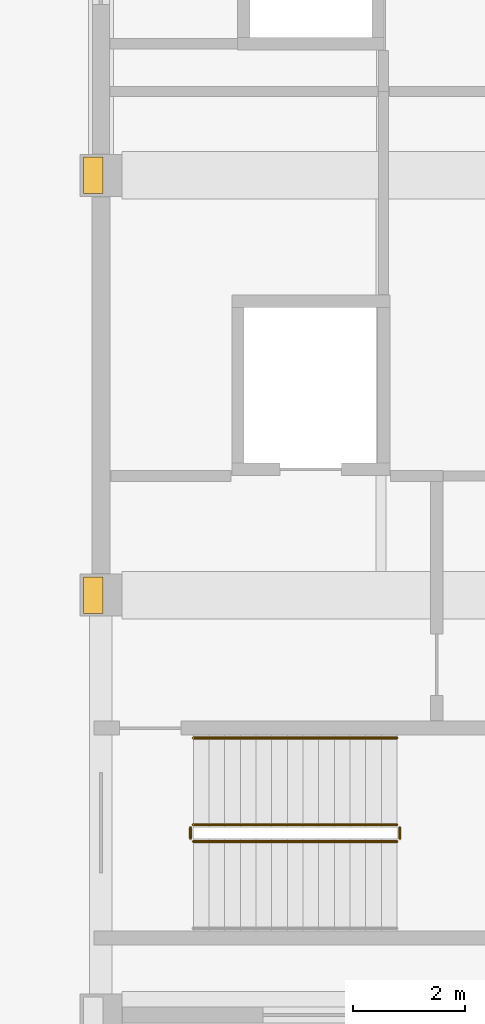
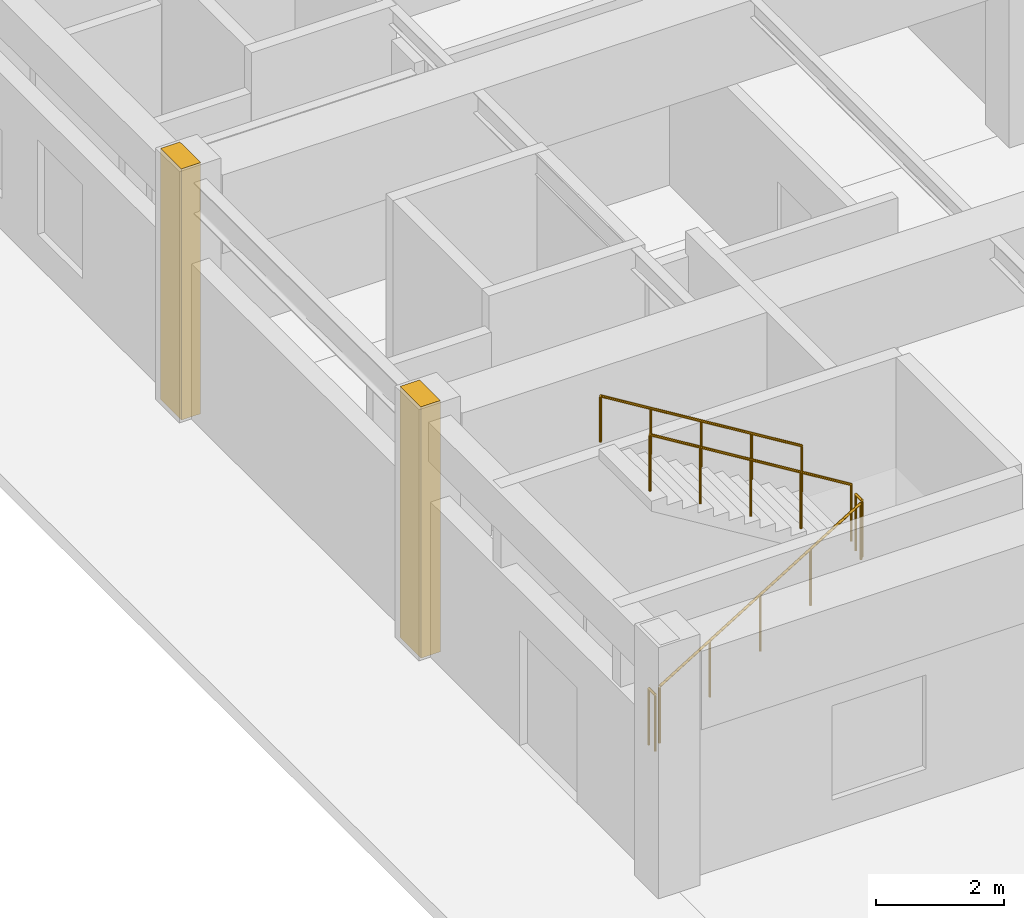
# One storey, part 113 of 122: 5 railings, 2 coverings.
"""IFC4 building model written with IfcOpenShell, lengths in metres."""

from ifc_helpers import new_model, si_unit, direction, frame, origin, origin_2d, place, context, subcontext, project, spatial, rectangle, circle, extrude, material, layer, layer_set, type_object, element, save


model = new_model("IFC4")

# Units and contexts
model_context = context("Model", 3, precision=1e-05, world=origin(), true_north=direction((0.0, 1.0)))
body_context = subcontext(model_context, "Body", "Model", "MODEL_VIEW")
ifc_project = project(units=[si_unit("LENGTHUNIT", "METRE"), si_unit("AREAUNIT", "SQUARE_METRE"), si_unit("VOLUMEUNIT", "CUBIC_METRE"), si_unit("PLANEANGLEUNIT", "RADIAN"), si_unit("MASSUNIT", "GRAM", prefix="KILO")], contexts=[model_context])

# Site, building, storey
site_placement = place(None, origin())
site = spatial("IfcSite", under=ifc_project, at=site_placement, CompositionType="ELEMENT")
building_placement = place(site_placement, origin())
building = spatial("IfcBuilding", under=site, at=building_placement, Name="Qasida Concert Hall", CompositionType="ELEMENT")
storey_placement = place(building_placement, origin())
storey = spatial("IfcBuildingStorey", under=building, at=storey_placement, Name="L00", CompositionType="ELEMENT", Elevation=0.0)

# Coverings
ifc_material_1 = material(Name="Projecting fluted Lebanese limestone Art Deco pilaster", Category="masonry")
ifc_layer_1 = layer(ifc_material_1, 0.35009765625, Name="Projecting fluted Lebanese limestone Art Deco pilaster")
ifc_layer_set_1 = layer_set([ifc_layer_1], Name="Projecting fluted Lebanese limestone Art Deco pilaster")
covering_type = type_object("IfcCoveringType", Name="CV-PIL-650", PredefinedType="CLADDING", material=ifc_layer_set_1)
for number, where, z_axis, x_axis, name in (
    (1, (-0.135009765625, 82.5, 0.0), (0.0, 0.0, 1.0), (1.0, 0.0, 0.0), "L00 fluted limestone pilaster 0272"),
    (2, (-0.135009765625, 90.0, 0.0), (0.0, 0.0, 1.0), (1.0, 0.0, 0.0), "L00 fluted limestone pilaster 0279"),
):
    element("IfcCovering", number, at=place(storey_placement, frame(where, z_axis=z_axis, x_axis=x_axis)), inside=storey, type_object=covering_type, Name=name, PredefinedType="CLADDING", context=body_context, shape_type="SweptSolid", body=[
        extrude(rectangle(XDim=0.35009765625, YDim=0.64990234375, at=origin_2d()), origin(), (0.0, 0.0, 1.0), 4.800048828125),
    ])

# Railings
ifc_material_2 = material(Name="Patinated architectural bronze and laminated glass infill", Category="glass")
ifc_layer_2 = layer(ifc_material_2, 0.080078125, Name="Patinated architectural bronze and laminated glass infill")
ifc_layer_set_2 = layer_set([ifc_layer_2], Name="Patinated architectural bronze and laminated glass infill")
railing_type_1 = type_object("IfcRailingType", Name="RL-GRD-1100", PredefinedType="GUARDRAIL", material=ifc_layer_set_2)
railing_1_placement = place(storey_placement, frame((1.64990234375, 78.10009765625, 0.17138671875)))
element("IfcRailing", 3, at=railing_1_placement, inside=storey, type_object=railing_type_1, Name="L00 ST-05 stair guard 1", PredefinedType="GUARDRAIL", context=body_context, shape_type="SweptSolid", body=[
    extrude(circle(Radius=0.02392578125, at=origin_2d()), frame((0.0, 0.0, 1.076171875), z_axis=(0.852865859571, 0.0, 0.52213008492), x_axis=(0.0, 1.0, 0.0)), (0.0, 0.0, 1.0), 4.26806640625),
    extrude(circle(Radius=0.02099609375, at=origin_2d()), origin(), (0.0, 0.0, 1.0), 1.052001953125),
    extrude(circle(Radius=0.02099609375, at=origin_2d()), frame((0.91015625, 0.0, 0.55712890625)), (0.0, 0.0, 1.0), 1.052001953125),
    extrude(circle(Radius=0.02099609375, at=origin_2d()), frame((1.820068359375, 0.0, 1.1142578125)), (0.0, 0.0, 1.0), 1.052001953125),
    extrude(circle(Radius=0.02099609375, at=origin_2d()), frame((2.72998046875, 0.0, 1.67138671875)), (0.0, 0.0, 1.0), 1.052001953125),
    extrude(circle(Radius=0.02099609375, at=origin_2d()), frame((3.64013671875, 0.0, 2.228515625)), (0.0, 0.0, 1.0), 1.052001953125),
])
railing_2_placement = place(storey_placement, frame((5.340087890625, 78.14990234375, 2.39990234375)))
element("IfcRailing", 4, at=railing_2_placement, inside=storey, type_object=railing_type_1, Name="L00 ST-05 stair guard 2", PredefinedType="GUARDRAIL", context=body_context, shape_type="SweptSolid", body=[
    extrude(circle(Radius=0.02392578125, at=origin_2d()), frame((0.0, 0.0, 1.076171875), z_axis=(0.0, 1.0, 0.0), x_axis=(-1.0, 0.0, 0.0)), (0.0, 0.0, 1.0), 0.2001953125),
    extrude(circle(Radius=0.02099609375, at=origin_2d()), origin(), (0.0, 0.0, 1.0), 1.052001953125),
    extrude(circle(Radius=0.02099609375, at=origin_2d()), frame((0.0, 0.2001953125, 0.0)), (0.0, 0.0, 1.0), 1.052001953125),
])
railing_3_placement = place(storey_placement, frame((5.2900390625, 78.39990234375, 2.571533203125)))
element("IfcRailing", 5, at=railing_3_placement, inside=storey, type_object=railing_type_1, Name="L00 ST-05 stair guard 3", PredefinedType="GUARDRAIL", context=body_context, shape_type="SweptSolid", body=[
    extrude(circle(Radius=0.02392578125, at=origin_2d()), frame((0.0, 0.0, 1.076171875), z_axis=(-0.852865859571, 0.0, 0.52213008492), x_axis=(0.0, -1.0, 0.0)), (0.0, 0.0, 1.0), 4.26806640625),
    extrude(circle(Radius=0.02099609375, at=origin_2d()), origin(), (0.0, 0.0, 1.0), 1.052001953125),
    extrude(circle(Radius=0.02099609375, at=origin_2d()), frame((-0.91015625, 0.0, 0.55712890625)), (0.0, 0.0, 1.0), 1.052001953125),
    extrude(circle(Radius=0.02099609375, at=origin_2d()), frame((-1.820068359375, 0.0, 1.1142578125)), (0.0, 0.0, 1.0), 1.052001953125),
    extrude(circle(Radius=0.02099609375, at=origin_2d()), frame((-2.72998046875, 0.0, 1.67138671875)), (0.0, 0.0, 1.0), 1.052001953125),
    extrude(circle(Radius=0.02099609375, at=origin_2d()), frame((-3.64013671875, 0.0, 2.228515625)), (0.0, 0.0, 1.0), 1.052001953125),
])
railing_4_placement = place(storey_placement, frame((1.60009765625, 78.14990234375, 0.0)))
element("IfcRailing", 6, at=railing_4_placement, inside=storey, type_object=railing_type_1, Name="L00 ST-05 stair guard 4", PredefinedType="GUARDRAIL", context=body_context, shape_type="SweptSolid", body=[
    extrude(circle(Radius=0.02392578125, at=origin_2d()), frame((0.0, 0.0, 1.076171875), z_axis=(0.0, 1.0, 0.0), x_axis=(-1.0, 0.0, 0.0)), (0.0, 0.0, 1.0), 0.2001953125),
    extrude(circle(Radius=0.02099609375, at=origin_2d()), origin(), (0.0, 0.0, 1.0), 1.052001953125),
    extrude(circle(Radius=0.02099609375, at=origin_2d()), frame((0.0, 0.2001953125, 0.0)), (0.0, 0.0, 1.0), 1.052001953125),
])
ifc_material_3 = material(Name="Patinated tubular architectural bronze", Category="steel")
ifc_layer_3 = layer(ifc_material_3, 0.050048828125, Name="Patinated tubular architectural bronze")
ifc_layer_set_3 = layer_set([ifc_layer_3], Name="Patinated tubular architectural bronze")
railing_type_2 = type_object("IfcRailingType", Name="RL-HND-900", PredefinedType="HANDRAIL", material=ifc_layer_set_3)
railing_5_placement = place(storey_placement, frame((5.2900390625, 79.949951171875, 2.571533203125)))
element("IfcRailing", 7, at=railing_5_placement, inside=storey, type_object=railing_type_2, Name="L00 ST-05 stair handrail 2", PredefinedType="HANDRAIL", context=body_context, shape_type="SweptSolid", body=[
    extrude(circle(Radius=0.02392578125, at=origin_2d()), frame((0.0, 0.0, 0.8759765625), z_axis=(-0.852865859571, 0.0, 0.52213008492), x_axis=(0.0, -1.0, 0.0)), (0.0, 0.0, 1.0), 4.26806640625),
    extrude(circle(Radius=0.02099609375, at=origin_2d()), origin(), (0.0, 0.0, 1.0), 0.851806640625),
    extrude(circle(Radius=0.02099609375, at=origin_2d()), frame((-0.91015625, 0.0, 0.55712890625)), (0.0, 0.0, 1.0), 0.851806640625),
    extrude(circle(Radius=0.02099609375, at=origin_2d()), frame((-1.820068359375, 0.0, 1.1142578125)), (0.0, 0.0, 1.0), 0.851806640625),
    extrude(circle(Radius=0.02099609375, at=origin_2d()), frame((-2.72998046875, 0.0, 1.67138671875)), (0.0, 0.0, 1.0), 0.851806640625),
    extrude(circle(Radius=0.02099609375, at=origin_2d()), frame((-3.64013671875, 0.0, 2.228515625)), (0.0, 0.0, 1.0), 0.851806640625),
])

save(model, "model.ifc")
